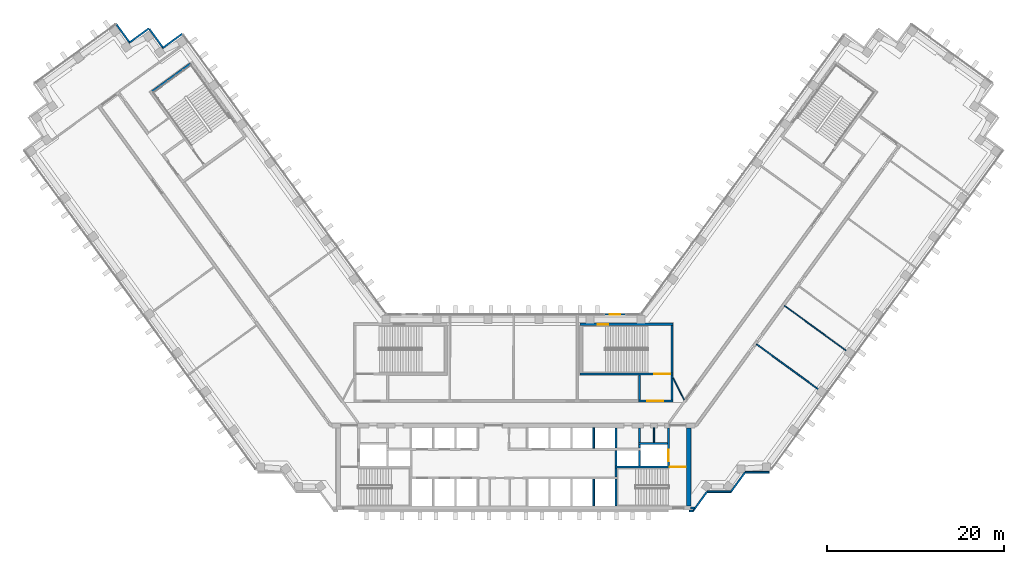
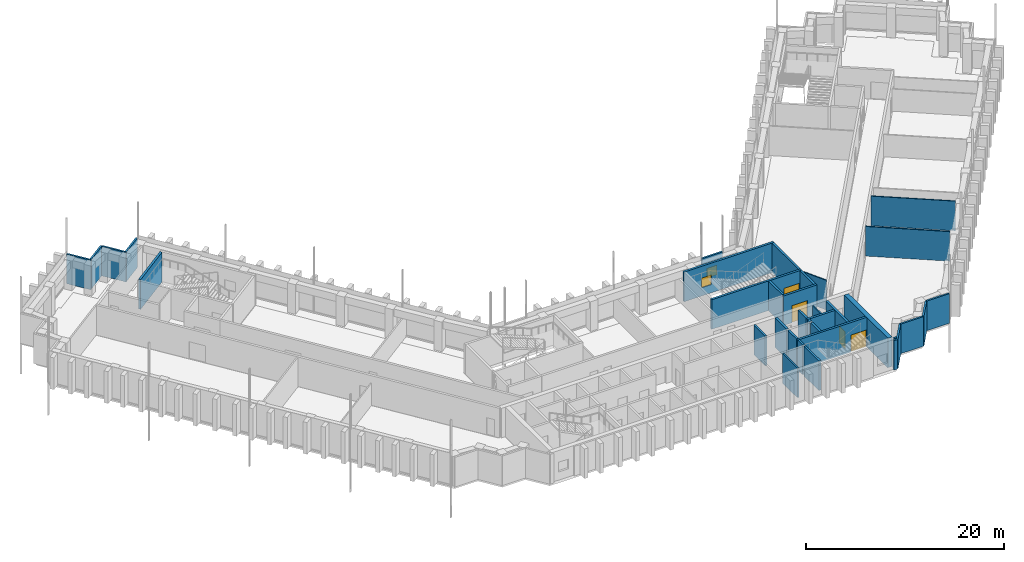
# One storey, part 13 of 18: 35 walls, 4 doors, 2 windows, 6 openings.
"""IFC4 building model written with IfcOpenShell, lengths in metres."""

from ifc_helpers import new_model, si_unit, direction, frame, frame_2d, origin, place, context, subcontext, project, spatial, rectangle, extrude, material, layer, layer_set, type_object, element, fill, save


model = new_model("IFC4")

# Units and contexts
model_context = context("Model", 3, precision=1e-05, world=origin(), true_north=direction((0.0, 1.0)))
body_context = subcontext(model_context, "Body", "Model", "MODEL_VIEW")
ifc_project = project(units=[si_unit("LENGTHUNIT", "METRE"), si_unit("AREAUNIT", "SQUARE_METRE"), si_unit("VOLUMEUNIT", "CUBIC_METRE"), si_unit("PLANEANGLEUNIT", "RADIAN"), si_unit("MASSUNIT", "GRAM", prefix="KILO")], contexts=[model_context])

# Site, building, storey
site_placement = place(None, origin())
site = spatial("IfcSite", under=ifc_project, at=site_placement, CompositionType="ELEMENT")
building_placement = place(site_placement, origin())
building = spatial("IfcBuilding", under=site, at=building_placement, Name="Quipu Civic Tower", CompositionType="ELEMENT")
storey_placement = place(building_placement, frame((0.0, 0.0, 71.0)))
storey = spatial("IfcBuildingStorey", under=building, at=storey_placement, Name="L16", CompositionType="ELEMENT", Elevation=71.0)

# Walls
ifc_material_1 = material(Name="Double gypsum plasterboard with mineral wool")
ifc_layer_1 = layer(ifc_material_1, 0.14990234375)
ifc_layer_set_1 = layer_set([ifc_layer_1], Name="Double gypsum plasterboard with mineral wool")
wall_type_1 = type_object("IfcWallType", Name="Acoustic partition 150 plasterboard", PredefinedType="PARTITIONING", material=ifc_layer_set_1)
wall_1_placement = place(storey_placement, frame((27.412841796875, 7.735107421875, 0.0), z_axis=(0.0, 0.0, 1.0), x_axis=(0.807664804385, -0.589641894507, 0.0)))
element("IfcWall", 1, at=wall_1_placement, inside=storey, type_object=wall_type_1, Name="Partition P01", PredefinedType="PARTITIONING", context=body_context, shape_type="SweptSolid", body=[
    extrude(rectangle(XDim=8.594482421875, YDim=0.14990234375, at=frame_2d((4.29736328125, 0.0))), origin(), (0.0, 0.0, 1.0), 3.64990234375),
])
ifc_material_2 = material(Name="Concrete C70/85", Category="concrete")
ifc_layer_2 = layer(ifc_material_2, 0.25)
ifc_layer_set_2 = layer_set([ifc_layer_2], Name="Concrete C70/85")
wall_type_2 = type_object("IfcWallType", Name="Core wall 250", PredefinedType="SHEAR", material=ifc_layer_set_2)
wall_2_placement = place(storey_placement, frame((11.574951171875, -10.5, 0.0), z_axis=(0.0, 0.0, 1.0), x_axis=(0.0, 1.0, 0.0)))
element("IfcWall", 2, at=wall_2_placement, inside=storey, type_object=wall_type_2, Name="Core wall", PredefinedType="SHEAR", context=body_context, shape_type="SweptSolid", body=[
    extrude(rectangle(XDim=3.0, YDim=0.25, at=frame_2d((1.5, 0.0))), origin(), (0.0, 0.0, 1.0), 3.64990234375),
])
wall_3_placement = place(storey_placement, frame((11.574951171875, -7.25, 0.0), z_axis=(0.0, 0.0, 1.0), x_axis=(0.0, 1.0, 0.0)))
element("IfcWall", 3, at=wall_3_placement, inside=storey, type_object=wall_type_2, Name="Core wall", PredefinedType="SHEAR", context=body_context, shape_type="SweptSolid", body=[
    extrude(rectangle(XDim=1.0, YDim=0.25, at=frame_2d((0.5, 0.0))), origin(), (0.0, 0.0, 1.0), 3.64990234375),
])

# Wall, opening, door
wall_4_placement = place(storey_placement, frame((19.5, -6.125, 0.0), z_axis=(0.0, 0.0, 1.0), x_axis=(-1.0, 0.0, 0.0)))
wall_4 = element("IfcWall", 4, at=wall_4_placement, inside=storey, type_object=wall_type_2, Name="Core wall", PredefinedType="SHEAR", context=body_context, shape_type="SweptSolid", body=[
    extrude(rectangle(XDim=8.050048828125, YDim=0.25, at=frame_2d((4.02490234375, 0.0))), origin(), (0.0, 0.0, 1.0), 3.64990234375),
])
opening_1_placement = place(wall_4_placement, frame((0.050048828125, 0.0, 0.0)))
opening_1 = element("IfcOpeningElement", 5, at=opening_1_placement, cuts=wall_4, Name="Opening CD-05", PredefinedType="OPENING", context=body_context, shape_type="SweptSolid", body=[
    extrude(rectangle(XDim=1.800048828125, YDim=2.10009765625, at=frame_2d((0.89990234375, 1.050048828125))), frame((0.0, 0.135009765625, 0.0), z_axis=(0.0, -1.0, 0.0), x_axis=(1.0, 0.0, 0.0)), (0.0, 0.0, 1.0), 0.27001953125),
])
ifc_material_3 = material(Name="Fire rated steel door", Category="steel")
door_type_1 = type_object("IfcDoorType", Name="Fire door FD90 double 1800 x 2100", OperationType="NOTDEFINED", PredefinedType="DOOR", material=ifc_material_3)
door_1_placement = place(opening_1_placement, origin())
door_1 = element("IfcDoor", 6, at=door_1_placement, inside=storey, type_object=door_type_1, Name="Door", OperationType="DOUBLE_DOOR_SINGLE_SWING", OverallHeight=2.10009765625, OverallWidth=1.800048828125, PredefinedType="DOOR", context=body_context, shape_type="SweptSolid", body=[
    extrude(rectangle(XDim=1.800048828125, YDim=2.10009765625, at=frame_2d((0.89990234375, 1.050048828125))), frame((0.0, 0.02490234375, 0.0), z_axis=(0.0, -1.0, 0.0), x_axis=(1.0, 0.0, 0.0)), (0.0, 0.0, 1.0), 0.050048828125),
])
fill(opening_1, door_1)

# Walls
for number, where, z_axis, x_axis, name in (
    (7, (11.574951171875, -6.0, 0.0), (0.0, 0.0, 1.0), (0.0, 1.0, 0.0), "Core wall"),
    (8, (14.22509765625, -6.0, 0.0), (0.0, 0.0, 1.0), (0.0, 1.0, 0.0), "Core wall"),
):
    element("IfcWall", number, at=place(storey_placement, frame(where, z_axis=z_axis, x_axis=x_axis)), inside=storey, type_object=wall_type_2, Name=name, PredefinedType="SHEAR", context=body_context, shape_type="SweptSolid", body=[
        extrude(rectangle(XDim=1.75, YDim=0.25, at=frame_2d((0.875, 0.0))), origin(), (0.0, 0.0, 1.0), 3.64990234375),
    ])

# Wall, opening, door
wall_5_placement = place(storey_placement, frame((17.47509765625, -6.0, 0.0), z_axis=(0.0, 0.0, 1.0), x_axis=(0.0, 1.0, 0.0)))
wall_5 = element("IfcWall", 9, at=wall_5_placement, inside=storey, type_object=wall_type_2, Name="Core wall", PredefinedType="SHEAR", context=body_context, shape_type="SweptSolid", body=[
    extrude(rectangle(XDim=4.300048828125, YDim=0.25, at=frame_2d((2.14990234375, 0.0))), origin(), (0.0, 0.0, 1.0), 3.64990234375),
])
opening_2_placement = place(wall_5_placement, frame((0.550048828125, 0.0, 0.0)))
opening_2 = element("IfcOpeningElement", 10, at=opening_2_placement, cuts=wall_5, Name="Opening LD-FF2", PredefinedType="OPENING", context=body_context, shape_type="SweptSolid", body=[
    extrude(rectangle(XDim=1.300048828125, YDim=2.10009765625, at=frame_2d((0.64990234375, 1.050048828125))), frame((0.0, 0.135009765625, 0.0), z_axis=(0.0, -1.0, 0.0), x_axis=(1.0, 0.0, 0.0)), (0.0, 0.0, 1.0), 0.27001953125),
])
ifc_material_4 = material(Name="Stainless steel", Category="steel")
door_type_2 = type_object("IfcDoorType", Name="Lift landing door 1300 x 2100", OperationType="DOUBLE_DOOR_SLIDING", PredefinedType="DOOR", material=ifc_material_4)
door_2_placement = place(opening_2_placement, origin())
door_2 = element("IfcDoor", 11, at=door_2_placement, inside=storey, type_object=door_type_2, Name="Landing door FF2", OperationType="DOUBLE_DOOR_SLIDING", OverallHeight=2.10009765625, OverallWidth=1.300048828125, PredefinedType="DOOR", context=body_context, shape_type="SweptSolid", body=[
    extrude(rectangle(XDim=1.300048828125, YDim=2.10009765625, at=frame_2d((0.64990234375, 1.050048828125))), frame((0.0, 0.02490234375, 0.0), z_axis=(0.0, -1.0, 0.0), x_axis=(1.0, 0.0, 0.0)), (0.0, 0.0, 1.0), 0.050048828125),
])
fill(opening_2, door_2)

# Walls
wall_6_placement = place(storey_placement, frame((11.574951171875, -4.0, 0.0), z_axis=(0.0, 0.0, 1.0), x_axis=(0.0, 1.0, 0.0)))
element("IfcWall", 12, at=wall_6_placement, inside=storey, type_object=wall_type_2, Name="Core wall", PredefinedType="SHEAR", context=body_context, shape_type="SweptSolid", body=[
    extrude(rectangle(XDim=2.300048828125, YDim=0.25, at=frame_2d((1.14990234375, 0.0))), origin(), (0.0, 0.0, 1.0), 3.64990234375),
])
wall_7_placement = place(storey_placement, frame((14.22509765625, -4.0, 0.0), z_axis=(0.0, 0.0, 1.0), x_axis=(0.0, 1.0, 0.0)))
element("IfcWall", 13, at=wall_7_placement, inside=storey, type_object=wall_type_2, Name="Core wall", PredefinedType="SHEAR", context=body_context, shape_type="SweptSolid", body=[
    extrude(rectangle(XDim=0.39990234375, YDim=0.25, at=frame_2d((0.199951171875, 0.0))), origin(), (0.0, 0.0, 1.0), 3.64990234375),
])
wall_8_placement = place(storey_placement, frame((14.10009765625, -3.47509765625, 0.0), z_axis=(0.0, 0.0, 1.0), x_axis=(1.0, 0.0, 0.0)))
element("IfcWall", 14, at=wall_8_placement, inside=storey, type_object=wall_type_2, Name="Core wall", PredefinedType="SHEAR", context=body_context, shape_type="SweptSolid", body=[
    extrude(rectangle(XDim=3.25, YDim=0.25, at=frame_2d((1.625, 0.0))), origin(), (0.0, 0.0, 1.0), 3.64990234375),
])
wall_9_placement = place(storey_placement, frame((14.22509765625, -3.35009765625, 0.0), z_axis=(0.0, 0.0, 1.0), x_axis=(0.0, 1.0, 0.0)))
element("IfcWall", 15, at=wall_9_placement, inside=storey, type_object=wall_type_2, Name="Core wall", PredefinedType="SHEAR", context=body_context, shape_type="SweptSolid", body=[
    extrude(rectangle(XDim=1.650146484375, YDim=0.25, at=frame_2d((0.8251953125, 0.0))), origin(), (0.0, 0.0, 1.0), 3.64990234375),
])

# Wall, opening, door
wall_10_placement = place(storey_placement, frame((14.10009765625, 1.324951171875, 0.0), z_axis=(0.0, 0.0, 1.0), x_axis=(1.0, 0.0, 0.0)))
wall_10 = element("IfcWall", 16, at=wall_10_placement, inside=storey, type_object=wall_type_2, Name="Core wall", PredefinedType="SHEAR", context=body_context, shape_type="SweptSolid", body=[
    extrude(rectangle(XDim=3.89990234375, YDim=0.25, at=frame_2d((1.949951171875, 0.0))), origin(), (0.0, 0.0, 1.0), 3.64990234375),
])
opening_3_placement = place(wall_10_placement, frame((1.0, 0.0, 0.0)))
opening_3 = element("IfcOpeningElement", 17, at=opening_3_placement, cuts=wall_10, Name="Opening CD-17", PredefinedType="OPENING", context=body_context, shape_type="SweptSolid", body=[
    extrude(rectangle(XDim=1.800048828125, YDim=2.10009765625, at=frame_2d((0.89990234375, 1.050048828125))), frame((0.0, 0.135009765625, 0.0), z_axis=(0.0, -1.0, 0.0), x_axis=(1.0, 0.0, 0.0)), (0.0, 0.0, 1.0), 0.27001953125),
])
door_3_placement = place(opening_3_placement, origin())
door_3 = element("IfcDoor", 18, at=door_3_placement, inside=storey, type_object=door_type_1, Name="Lobby door", OperationType="DOUBLE_DOOR_SINGLE_SWING", OverallHeight=2.10009765625, OverallWidth=1.800048828125, PredefinedType="DOOR", context=body_context, shape_type="SweptSolid", body=[
    extrude(rectangle(XDim=1.800048828125, YDim=2.10009765625, at=frame_2d((0.89990234375, 1.050048828125))), frame((0.0, 0.02490234375, 0.0), z_axis=(0.0, -1.0, 0.0), x_axis=(1.0, 0.0, 0.0)), (0.0, 0.0, 1.0), 0.050048828125),
])
fill(opening_3, door_3)

# Walls
for number, where, z_axis, x_axis, name in (
    (19, (14.22509765625, 1.449951171875, 0.0), (0.0, 0.0, 1.0), (0.0, 1.0, 0.0), "Core wall"),
    (20, (17.875, 1.449951171875, 0.0), (0.0, 0.0, 1.0), (0.0, 1.0, 0.0), "Core wall"),
):
    element("IfcWall", number, at=place(storey_placement, frame(where, z_axis=z_axis, x_axis=x_axis)), inside=storey, type_object=wall_type_2, Name=name, PredefinedType="SHEAR", context=body_context, shape_type="SweptSolid", body=[
        extrude(rectangle(XDim=2.800048828125, YDim=0.25, at=frame_2d((1.39990234375, 0.0))), origin(), (0.0, 0.0, 1.0), 3.64990234375),
    ])

# Wall, opening, door
wall_11_placement = place(storey_placement, frame((7.5, 4.375, 0.0), z_axis=(0.0, 0.0, 1.0), x_axis=(1.0, 0.0, 0.0)))
wall_11 = element("IfcWall", 21, at=wall_11_placement, inside=storey, type_object=wall_type_2, Name="Core wall", PredefinedType="SHEAR", context=body_context, shape_type="SweptSolid", body=[
    extrude(rectangle(XDim=10.5, YDim=0.25, at=frame_2d((5.25, 0.0))), origin(), (0.0, 0.0, 1.0), 3.64990234375),
])
opening_4_placement = place(wall_11_placement, frame((8.39990234375, 0.0, 0.0)))
opening_4 = element("IfcOpeningElement", 22, at=opening_4_placement, cuts=wall_11, Name="Opening CD-18", PredefinedType="OPENING", context=body_context, shape_type="SweptSolid", body=[
    extrude(rectangle(XDim=1.800048828125, YDim=2.10009765625, at=frame_2d((0.89990234375, 1.050048828125))), frame((0.0, 0.135009765625, 0.0), z_axis=(0.0, -1.0, 0.0), x_axis=(1.0, 0.0, 0.0)), (0.0, 0.0, 1.0), 0.27001953125),
])
door_4_placement = place(opening_4_placement, origin())
door_4 = element("IfcDoor", 23, at=door_4_placement, inside=storey, type_object=door_type_1, Name="Door", OperationType="DOUBLE_DOOR_SINGLE_SWING", OverallHeight=2.10009765625, OverallWidth=1.800048828125, PredefinedType="DOOR", context=body_context, shape_type="SweptSolid", body=[
    extrude(rectangle(XDim=1.800048828125, YDim=2.10009765625, at=frame_2d((0.89990234375, 1.050048828125))), frame((0.0, 0.02490234375, 0.0), z_axis=(0.0, -1.0, 0.0), x_axis=(1.0, 0.0, 0.0)), (0.0, 0.0, 1.0), 0.050048828125),
])
fill(opening_4, door_4)

# Wall
wall_12_placement = place(storey_placement, frame((17.875, 4.5, 0.0), z_axis=(0.0, 0.0, 1.0), x_axis=(0.0, 1.0, 0.0)))
element("IfcWall", 24, at=wall_12_placement, inside=storey, type_object=wall_type_2, Name="Core wall", PredefinedType="SHEAR", context=body_context, shape_type="SweptSolid", body=[
    extrude(rectangle(XDim=5.35009765625, YDim=0.25, at=frame_2d((2.675048828125, 0.0))), origin(), (0.0, 0.0, 1.0), 3.64990234375),
])

# Wall, opening, window
wall_13_placement = place(storey_placement, frame((7.5, 9.97509765625, 0.0), z_axis=(0.0, 0.0, 1.0), x_axis=(1.0, 0.0, 0.0)))
wall_13 = element("IfcWall", 25, at=wall_13_placement, inside=storey, type_object=wall_type_2, Name="Core wall", PredefinedType="SHEAR", context=body_context, shape_type="SweptSolid", body=[
    extrude(rectangle(XDim=10.5, YDim=0.25, at=frame_2d((5.25, 0.0))), origin(), (0.0, 0.0, 1.0), 3.64990234375),
])
opening_5_placement = place(wall_13_placement, frame((2.0, 0.0, 1.0)))
opening_5 = element("IfcOpeningElement", 26, at=opening_5_placement, cuts=wall_13, Name="Opening SV-4", PredefinedType="OPENING", context=body_context, shape_type="SweptSolid", body=[
    extrude(rectangle(XDim=1.199951171875, YDim=1.199951171875, at=frame_2d((0.60009765625, 0.60009765625))), frame((0.0, 0.135009765625, 0.0), z_axis=(0.0, -1.0, 0.0), x_axis=(1.0, 0.0, 0.0)), (0.0, 0.0, 1.0), 0.27001953125),
])
ifc_material_5 = material(Name="Aluminium louvre", Category="aluminium")
window_type_1 = type_object("IfcWindowType", Name="Stair ventilation louvre 1200 x 1200", PartitioningType="SINGLE_PANEL", PredefinedType="WINDOW", material=ifc_material_5)
window_1_placement = place(opening_5_placement, origin())
window_1 = element("IfcWindow", 27, at=window_1_placement, inside=storey, type_object=window_type_1, Name="Stair ventilation opening", OverallHeight=1.199951171875, OverallWidth=1.199951171875, PartitioningType="SINGLE_PANEL", PredefinedType="WINDOW", context=body_context, shape_type="SweptSolid", body=[
    extrude(rectangle(XDim=1.199951171875, YDim=1.199951171875, at=frame_2d((0.60009765625, 0.60009765625))), frame((0.0, 0.030029296875, 0.0), z_axis=(0.0, -1.0, 0.0), x_axis=(1.0, 0.0, 0.0)), (0.0, 0.0, 1.0), 0.06005859375),
])
fill(opening_5, window_1)

# Walls
wall_14_placement = place(storey_placement, frame((-36.43896484375, 39.384033203125, 0.0), z_axis=(0.0, 0.0, 1.0), x_axis=(-0.809020161303, -0.587780893365, 0.0)))
element("IfcWall", 28, at=wall_14_placement, inside=storey, type_object=wall_type_2, Name="Core wall", PredefinedType="SHEAR", context=body_context, shape_type="SweptSolid", body=[
    extrude(rectangle(XDim=5.349853515625, YDim=0.25, at=frame_2d((2.6748046875, 0.0))), origin(), (0.0, 0.0, 1.0), 3.64990234375),
])
ifc_material_6 = material(Name="Concrete C70/85", Category="concrete")
ifc_layer_3 = layer(ifc_material_6, 0.5)
ifc_layer_set_3 = layer_set([ifc_layer_3], Name="Concrete C70/85")
wall_type_3 = type_object("IfcWallType", Name="Core wall 500", PredefinedType="SHEAR", material=ifc_layer_set_3)
wall_15_placement = place(storey_placement, frame((19.75, -10.5, 0.0), z_axis=(0.0, 0.0, 1.0), x_axis=(0.0, 1.0, 0.0)))
element("IfcWall", 29, at=wall_15_placement, inside=storey, type_object=wall_type_3, Name="Core wall", PredefinedType="SHEAR", context=body_context, shape_type="SweptSolid", body=[
    extrude(rectangle(XDim=8.800048828125, YDim=0.5, at=frame_2d((4.39990234375, 0.0))), origin(), (0.0, 0.0, 1.0), 3.64990234375),
])
ifc_material_7 = material(Name="Gypsum plasterboard on light gauge framing")
ifc_layer_4 = layer(ifc_material_7, 0.1201171875)
ifc_layer_set_4 = layer_set([ifc_layer_4], Name="Gypsum plasterboard on light gauge framing")
wall_type_4 = type_object("IfcWallType", Name="Partition 120 plasterboard", PredefinedType="PARTITIONING", material=ifc_layer_set_4)
wall_16_placement = place(storey_placement, frame((37.516357421875, 7.019775390625, 0.0), z_axis=(0.0, 0.0, 1.0), x_axis=(-0.809002556908, 0.587805123248, 0.0)))
element("IfcWall", 30, at=wall_16_placement, inside=storey, type_object=wall_type_4, Name="Partition P02", PredefinedType="PARTITIONING", context=body_context, shape_type="SweptSolid", body=[
    extrude(rectangle(XDim=8.5947265625, YDim=0.1201171875, at=frame_2d((4.29736328125, 0.0))), origin(), (0.0, 0.0, 1.0), 3.64990234375),
])
wall_17_placement = place(storey_placement, frame((18.0, 3.925048828125, 0.0), z_axis=(0.0, 0.0, 1.0), x_axis=(0.453950796792, -0.891026752736, 0.0)))
element("IfcWall", 31, at=wall_17_placement, inside=storey, type_object=wall_type_4, Name="Partition P18", PredefinedType="PARTITIONING", context=body_context, shape_type="SweptSolid", body=[
    extrude(rectangle(XDim=2.77783203125, YDim=0.1201171875, at=frame_2d((1.388916015625, 0.0))), origin(), (0.0, 0.0, 1.0), 3.64990234375),
])
ifc_material_8 = material(Name="Gypsum board partition")
ifc_layer_5 = layer(ifc_material_8, 0.14990234375)
ifc_layer_set_5 = layer_set([ifc_layer_5], Name="Gypsum board partition")
wall_type_5 = type_object("IfcWallType", Name="Partition 150", PredefinedType="PARTITIONING", material=ifc_layer_set_5)
wall_18_placement = place(storey_placement, frame((15.85009765625, -3.35009765625, 0.0), z_axis=(0.0, 0.0, 1.0), x_axis=(0.0, 1.0, 0.0)))
element("IfcWall", 32, at=wall_18_placement, inside=storey, type_object=wall_type_5, Name="Partition", PredefinedType="PARTITIONING", context=body_context, shape_type="SweptSolid", body=[
    extrude(rectangle(XDim=1.650146484375, YDim=0.14990234375, at=frame_2d((0.8251953125, 0.0))), origin(), (0.0, 0.0, 1.0), 3.64990234375),
])
ifc_material_9 = material(Name="Precast concrete C40/50", Category="concrete")
wall_type_6 = type_object("IfcWallType", Name="Precast cladding wall", PredefinedType="SOLIDWALL", material=ifc_material_9)
wall_19_placement = place(storey_placement, frame((-37.352783203125, 42.768310546875, 0.0), z_axis=(0.0, 0.0, 1.0), x_axis=(-0.809033161865, -0.587762999008, 0.0)))
element("IfcWall", 33, at=wall_19_placement, inside=storey, type_object=wall_type_6, Name="Precast cladding wall L16 P05", PredefinedType="SOLIDWALL", context=body_context, shape_type="SweptSolid", body=[
    extrude(rectangle(XDim=2.699951171875, YDim=0.199951171875, at=frame_2d((1.35009765625, 0.0))), origin(), (0.0, 0.0, 1.0), 3.64990234375),
])
wall_20_placement = place(storey_placement, frame((-39.488037109375, 41.093505859375, 0.0), z_axis=(0.0, 0.0, 1.0), x_axis=(-0.587806000234, 0.809001919707, 0.0)))
element("IfcWall", 34, at=wall_20_placement, inside=storey, type_object=wall_type_6, Name="Precast cladding wall L16 P06", PredefinedType="SOLIDWALL", context=body_context, shape_type="SweptSolid", body=[
    extrude(rectangle(XDim=2.69970703125, YDim=0.199951171875, at=frame_2d((1.349853515625, 0.0))), origin(), (0.0, 0.0, 1.0), 3.64990234375),
])
for number, where, z_axis, x_axis, name in (
    (35, (-41.1240234375, 43.36572265625, 0.0), (0.0, 0.0, 1.0), (-0.809033161865, -0.587762999008, 0.0), "Precast cladding wall L16 P07"),
    (36, (-43.25927734375, 41.690673828125, 0.0), (0.0, 0.0, 1.0), (-0.587822180636, 0.808990163075, 0.0), "Precast cladding wall L16 P08"),
):
    element("IfcWall", number, at=place(storey_placement, frame(where, z_axis=z_axis, x_axis=x_axis)), inside=storey, type_object=wall_type_6, Name=name, PredefinedType="SOLIDWALL", context=body_context, shape_type="SweptSolid", body=[
        extrude(rectangle(XDim=2.699951171875, YDim=0.199951171875, at=frame_2d((1.35009765625, 0.0))), origin(), (0.0, 0.0, 1.0), 3.64990234375),
    ])
wall_21_placement = place(storey_placement, frame((19.85009765625, -11.087890625, 0.0), z_axis=(0.0, 0.0, 1.0), x_axis=(1.0, 0.0, 0.0)))
element("IfcWall", 37, at=wall_21_placement, inside=storey, type_object=wall_type_6, Name="Precast cladding wall L16 P19", PredefinedType="SOLIDWALL", context=body_context, shape_type="SweptSolid", body=[
    extrude(rectangle(XDim=0.40576171875, YDim=0.199951171875, at=frame_2d((0.202880859375, 0.0))), origin(), (0.0, 0.0, 1.0), 3.64990234375),
])
wall_22_placement = place(storey_placement, frame((20.253173828125, -11.083251953125, 0.0), z_axis=(0.0, 0.0, 1.0), x_axis=(0.587766567315, 0.809030569476, 0.0)))
element("IfcWall", 38, at=wall_22_placement, inside=storey, type_object=wall_type_6, Name="Precast cladding wall L16 P20", PredefinedType="SOLIDWALL", context=body_context, shape_type="SweptSolid", body=[
    extrude(rectangle(XDim=2.687744140625, YDim=0.199951171875, at=frame_2d((1.34375, 0.0))), origin(), (0.0, 0.0, 1.0), 3.64990234375),
])
wall_23_placement = place(storey_placement, frame((21.8427734375, -8.90380859375, 0.0), z_axis=(0.0, 0.0, 1.0), x_axis=(1.0, 0.0, 0.0)))
element("IfcWall", 39, at=wall_23_placement, inside=storey, type_object=wall_type_6, Name="Precast cladding wall L16 P21", PredefinedType="SOLIDWALL", context=body_context, shape_type="SweptSolid", body=[
    extrude(rectangle(XDim=2.699951171875, YDim=0.199951171875, at=frame_2d((1.35009765625, 0.0))), origin(), (0.0, 0.0, 1.0), 3.64990234375),
])
wall_24_placement = place(storey_placement, frame((24.533203125, -8.90869140625, 0.0), z_axis=(0.0, 0.0, 1.0), x_axis=(0.587720002413, 0.809064397168, 0.0)))
element("IfcWall", 40, at=wall_24_placement, inside=storey, type_object=wall_type_6, Name="Precast cladding wall L16 P22", PredefinedType="SOLIDWALL", context=body_context, shape_type="SweptSolid", body=[
    extrude(rectangle(XDim=2.7001953125, YDim=0.199951171875, at=frame_2d((1.35009765625, 0.0))), origin(), (0.0, 0.0, 1.0), 3.64990234375),
])
wall_25_placement = place(storey_placement, frame((26.1298828125, -6.71923828125, 0.0), z_axis=(0.0, 0.0, 1.0), x_axis=(1.0, 0.0, 0.0)))
element("IfcWall", 41, at=wall_25_placement, inside=storey, type_object=wall_type_6, Name="Precast cladding wall L16 P23", PredefinedType="SOLIDWALL", context=body_context, shape_type="SweptSolid", body=[
    extrude(rectangle(XDim=2.699951171875, YDim=0.199951171875, at=frame_2d((1.35009765625, 0.0))), origin(), (0.0, 0.0, 1.0), 3.64990234375),
])

# Wall, opening, window
wall_26_placement = place(storey_placement, frame((12.655029296875, 11.10009765625, 0.0), z_axis=(0.0, 0.0, 1.0), x_axis=(-1.0, 0.0, 0.0)))
wall_26 = element("IfcWall", 42, at=wall_26_placement, inside=storey, type_object=wall_type_6, Name="Vent surround SF-L15-2", PredefinedType="SOLIDWALL", context=body_context, shape_type="SweptSolid", body=[
    extrude(rectangle(XDim=2.3916015625, YDim=0.199951171875, at=frame_2d((1.19580078125, 0.0))), origin(), (0.0, 0.0, 1.0), 3.64990234375),
])
opening_6_placement = place(wall_26_placement, frame((0.595703125, 0.0, 1.0)))
opening_6 = element("IfcOpeningElement", 43, at=opening_6_placement, cuts=wall_26, Name="Opening SF-L15-2", PredefinedType="OPENING", context=body_context, shape_type="SweptSolid", body=[
    extrude(rectangle(XDim=1.199951171875, YDim=1.199951171875, at=frame_2d((0.60009765625, 0.60009765625))), frame((0.0, 0.10986328125, 0.0), z_axis=(0.0, -1.0, 0.0), x_axis=(1.0, 0.0, 0.0)), (0.0, 0.0, 1.0), 0.219970703125),
])
ifc_material_10 = material(Name="Anodised aluminium louvre", Category="aluminium")
window_type_2 = type_object("IfcWindowType", Name="Stair vent louvre window P3", PartitioningType="SINGLE_PANEL", PredefinedType="WINDOW", material=ifc_material_10)
window_2_placement = place(opening_6_placement, origin())
window_2 = element("IfcWindow", 44, at=window_2_placement, inside=storey, type_object=window_type_2, Name="Stair vent louvre SF-L15-2", OverallHeight=1.199951171875, OverallWidth=1.199951171875, PartitioningType="SINGLE_PANEL", PredefinedType="WINDOW", context=body_context, shape_type="SweptSolid", body=[
    extrude(rectangle(XDim=1.199951171875, YDim=1.199951171875, at=frame_2d((0.60009765625, 0.60009765625))), frame((0.0, 0.030029296875, 0.0), z_axis=(0.0, -1.0, 0.0), x_axis=(1.0, 0.0, 0.0)), (0.0, 0.0, 1.0), 0.06005859375),
])
fill(opening_6, window_2)

# Walls
wall_27_placement = place(storey_placement, frame((19.97998046875, -10.75, 0.0), z_axis=(0.0, 0.0, 1.0), x_axis=(1.0, 0.0, 0.0)))
element("IfcWall", 45, at=wall_27_placement, inside=storey, type_object=wall_type_6, Name="Precast cladding return L16 E", PredefinedType="SOLIDWALL", context=body_context, shape_type="SweptSolid", body=[
    extrude(rectangle(XDim=0.41650390625, YDim=0.199951171875, at=frame_2d((0.208251953125, 0.0))), origin(), (0.0, 0.0, 1.0), 3.64990234375),
])
ifc_material_11 = material(Name="Concrete C40/50", Category="concrete")
ifc_layer_6 = layer(ifc_material_11, 0.199951171875)
ifc_layer_set_6 = layer_set([ifc_layer_6], Name="Concrete C40/50")
wall_type_7 = type_object("IfcWallType", Name="Shaft wall 200", PredefinedType="SOLIDWALL", material=ifc_layer_set_6)
wall_28_placement = place(storey_placement, frame((9.050048828125, -10.5, 0.0), z_axis=(0.0, 0.0, 1.0), x_axis=(0.0, 1.0, 0.0)))
element("IfcWall", 46, at=wall_28_placement, inside=storey, type_object=wall_type_7, Name="Shaft wall", PredefinedType="SOLIDWALL", context=body_context, shape_type="SweptSolid", body=[
    extrude(rectangle(XDim=3.0, YDim=0.199951171875, at=frame_2d((1.5, 0.0))), origin(), (0.0, 0.0, 1.0), 3.64990234375),
])
wall_29_placement = place(storey_placement, frame((9.050048828125, -4.0, 0.0), z_axis=(0.0, 0.0, 1.0), x_axis=(0.0, 1.0, 0.0)))
element("IfcWall", 47, at=wall_29_placement, inside=storey, type_object=wall_type_7, Name="Shaft wall", PredefinedType="SOLIDWALL", context=body_context, shape_type="SweptSolid", body=[
    extrude(rectangle(XDim=2.300048828125, YDim=0.199951171875, at=frame_2d((1.14990234375, 0.0))), origin(), (0.0, 0.0, 1.0), 3.64990234375),
])

save(model, "model.ifc")
